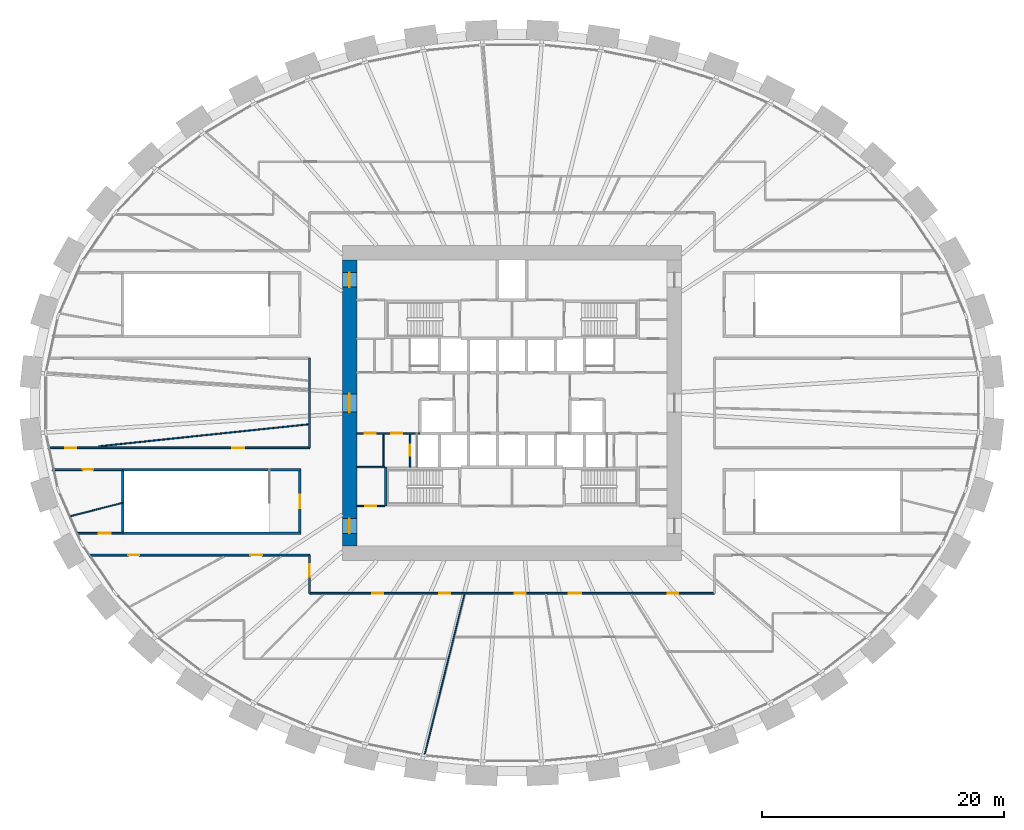
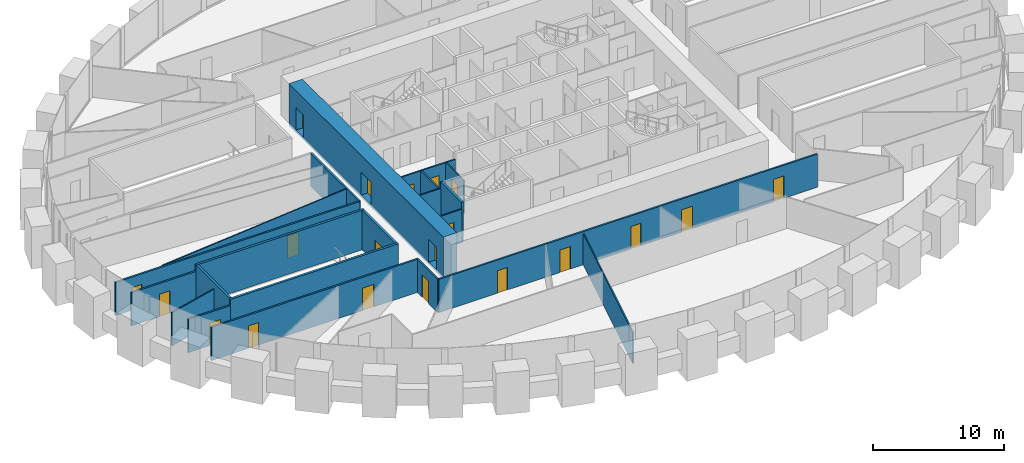
# One storey, part 6 of 12: 21 walls, 20 doors, 20 openings.
"""IFC4 building model written with IfcOpenShell, lengths in metres."""

from ifc_helpers import new_model, si_unit, direction, frame, frame_2d, origin, place, context, subcontext, project, spatial, rectangle, extrude, source, transform, mapped, material, layer, layer_set, type_object, element, fill, save


model = new_model("IFC4")

# Units and contexts
model_context = context("Model", 3, precision=1e-05, world=origin(), true_north=direction((0.0, 1.0)))
body_context = subcontext(model_context, "Body", "Model", "MODEL_VIEW")
ifc_project = project(units=[si_unit("LENGTHUNIT", "METRE"), si_unit("AREAUNIT", "SQUARE_METRE"), si_unit("VOLUMEUNIT", "CUBIC_METRE"), si_unit("PLANEANGLEUNIT", "RADIAN"), si_unit("MASSUNIT", "GRAM", prefix="KILO")], contexts=[model_context])

# Site, building, storey
site_placement = place(None, origin())
site = spatial("IfcSite", under=ifc_project, at=site_placement, CompositionType="ELEMENT")
building_placement = place(site_placement, origin())
building = spatial("IfcBuilding", under=site, at=building_placement, Name="Embergate Tower", CompositionType="ELEMENT")
storey_placement = place(building_placement, frame((0.0, 0.0, 38.0)))
storey = spatial("IfcBuildingStorey", under=building, at=storey_placement, Name="L05", CompositionType="ELEMENT", Elevation=38.0)

# Wall, openings, doors
ifc_material_1 = material(Name="Concrete C80", Category="concrete")
ifc_layer_1 = layer(ifc_material_1, 1.199951171875)
ifc_layer_set_1 = layer_set([ifc_layer_1], Name="Concrete C80")
wall_type_1 = type_object("IfcWallType", Name="Core outer wall C80 1200", PredefinedType="SHEAR", material=ifc_layer_set_1)
shared_shape_1 = source(origin(), body_context, "Body", "SweptSolid", [
    extrude(rectangle(XDim=23.60009765625, YDim=1.199951171875, at=frame_2d((11.800048828125, 0.0))), origin(), (0.0, 0.0, 1.0), 3.89990234375),
])
wall_1_placement = place(storey_placement, frame((-13.39990234375, -11.800048828125, -0.199951171875), z_axis=(0.0, 0.0, 1.0), x_axis=(0.0, 1.0, 0.0)))
wall_1 = element("IfcWall", 1, at=wall_1_placement, inside=storey, type_object=wall_type_1, Name="CW-L05-W", PredefinedType="SHEAR", context=body_context, shape_type="MappedRepresentation", body=[
    mapped(shared_shape_1, transform((0.0, 0.0, 0.0))),
])
shared_shape_2 = source(origin(), body_context, "Body", "SweptSolid", [
    extrude(rectangle(XDim=1.199951171875, YDim=2.10009765625, at=frame_2d((0.60009765625, 1.050048828125))), frame((0.0, 0.60986328125, 0.0), z_axis=(0.0, -1.0, 0.0), x_axis=(1.0, 0.0, 0.0)), (0.0, 0.0, 1.0), 1.219970703125),
])
opening_1_placement = place(wall_1_placement, frame((21.35009765625, 0.0, 0.199951171875)))
opening_1 = element("IfcOpeningElement", 2, at=opening_1_placement, cuts=wall_1, Name="Opening IF-1", PredefinedType="OPENING", context=body_context, shape_type="MappedRepresentation", body=[
    mapped(shared_shape_2, transform((0.0, 0.0, 0.0))),
])
opening_2_placement = place(wall_1_placement, frame((1.050048828125, 0.0, 0.199951171875)))
opening_2 = element("IfcOpeningElement", 3, at=opening_2_placement, cuts=wall_1, Name="Opening IF-1", PredefinedType="OPENING", context=body_context, shape_type="MappedRepresentation", body=[
    mapped(shared_shape_2, transform((0.0, 0.0, 0.0))),
])
shared_shape_3 = source(origin(), body_context, "Body", "SweptSolid", [
    extrude(rectangle(XDim=1.5, YDim=2.10009765625, at=frame_2d((0.75, 1.050048828125))), frame((0.0, 0.60986328125, 0.0), z_axis=(0.0, -1.0, 0.0), x_axis=(1.0, 0.0, 0.0)), (0.0, 0.0, 1.0), 1.219970703125),
])
opening_3_placement = place(wall_1_placement, frame((11.050048828125, 0.0, 0.199951171875)))
opening_3 = element("IfcOpeningElement", 4, at=opening_3_placement, cuts=wall_1, Name="Opening IF-3", PredefinedType="OPENING", context=body_context, shape_type="MappedRepresentation", body=[
    mapped(shared_shape_3, transform((0.0, 0.0, 0.0))),
])
ifc_material_2 = material(Name="Escape fire door 1200")
door_type_1 = type_object("IfcDoorType", Name="Escape fire door 1200", OperationType="SINGLE_SWING_LEFT", PredefinedType="DOOR", material=ifc_material_2)
shared_shape_4 = source(origin(), body_context, "Body", "SweptSolid", [
    extrude(rectangle(XDim=1.199951171875, YDim=2.10009765625, at=frame_2d((0.60009765625, 1.050048828125))), frame((0.0, 0.02490234375, 0.0), z_axis=(0.0, -1.0, 0.0), x_axis=(1.0, 0.0, 0.0)), (0.0, 0.0, 1.0), 0.050048828125),
])
door_1_placement = place(opening_1_placement, origin())
door_1 = element("IfcDoor", 5, at=door_1_placement, inside=storey, type_object=door_type_1, Name="IF-1 door", OperationType="SINGLE_SWING_RIGHT", OverallHeight=2.10009765625, OverallWidth=1.199951171875, PredefinedType="DOOR", context=body_context, shape_type="MappedRepresentation", body=[
    mapped(shared_shape_4, transform((0.0, 0.0, 0.0))),
])
fill(opening_1, door_1)
door_2_placement = place(opening_2_placement, origin())
door_2 = element("IfcDoor", 6, at=door_2_placement, inside=storey, type_object=door_type_1, Name="IF-1 door", OperationType="SINGLE_SWING_LEFT", OverallHeight=2.10009765625, OverallWidth=1.199951171875, PredefinedType="DOOR", context=body_context, shape_type="MappedRepresentation", body=[
    mapped(shared_shape_4, transform((0.0, 0.0, 0.0))),
])
fill(opening_2, door_2)
ifc_material_3 = material(Name="Lobby fire door pair 1500")
door_type_2 = type_object("IfcDoorType", Name="Lobby fire door pair 1500", OperationType="DOUBLE_DOOR_SINGLE_SWING", PredefinedType="DOOR", material=ifc_material_3)
shared_shape_5 = source(origin(), body_context, "Body", "SweptSolid", [
    extrude(rectangle(XDim=1.5, YDim=2.10009765625, at=frame_2d((0.75, 1.050048828125))), frame((0.0, 0.02490234375, 0.0), z_axis=(0.0, -1.0, 0.0), x_axis=(1.0, 0.0, 0.0)), (0.0, 0.0, 1.0), 0.050048828125),
])
door_3_placement = place(opening_3_placement, origin())
door_3 = element("IfcDoor", 7, at=door_3_placement, inside=storey, type_object=door_type_2, Name="IF-3 door", OperationType="DOUBLE_DOOR_SINGLE_SWING", OverallHeight=2.10009765625, OverallWidth=1.5, PredefinedType="DOOR", context=body_context, shape_type="MappedRepresentation", body=[
    mapped(shared_shape_5, transform((0.0, 0.0, 0.0))),
])
fill(opening_3, door_3)

ifc_material_4 = material(Name="Corridor wall dry-lined 150")
ifc_layer_2 = layer(ifc_material_4, 0.14990234375)
ifc_layer_set_2 = layer_set([ifc_layer_2], Name="Corridor wall dry-lined 150")
wall_type_2 = type_object("IfcWallType", Name="Corridor wall dry-lined 150", PredefinedType="PARTITIONING", material=ifc_layer_set_2)
shared_shape_6 = source(origin(), body_context, "Body", "SweptSolid", [
    extrude(rectangle(XDim=33.39990234375, YDim=0.14990234375, at=frame_2d((16.699951171875, 0.0))), origin(), (0.0, 0.0, 1.0), 3.10009765625),
])
wall_2_placement = place(storey_placement, frame((16.699951171875, -15.699951171875, 0.0), z_axis=(0.0, 0.0, 1.0), x_axis=(-1.0, 0.0, 0.0)))
wall_2 = element("IfcWall", 8, at=wall_2_placement, inside=storey, type_object=wall_type_2, Name="IP-2 wall", PredefinedType="PARTITIONING", context=body_context, shape_type="MappedRepresentation", body=[
    mapped(shared_shape_6, transform((0.0, 0.0, 0.0))),
])
shared_shape_7 = source(origin(), body_context, "Body", "SweptSolid", [
    extrude(rectangle(XDim=0.89990234375, YDim=2.10009765625, at=frame_2d((0.449951171875, 1.050048828125))), frame((0.0, 0.0849609375, 0.0), z_axis=(0.0, -1.0, 0.0), x_axis=(1.0, 0.0, 0.0)), (0.0, 0.0, 1.0), 0.169921875),
])
opening_4_placement = place(wall_2_placement, frame((27.3359375, 0.0, 0.0)))
opening_4 = element("IfcOpeningElement", 9, at=opening_4_placement, cuts=wall_2, Name="Opening IF-1c", PredefinedType="OPENING", context=body_context, shape_type="MappedRepresentation", body=[
    mapped(shared_shape_7, transform((0.0, 0.0, 0.0))),
])
opening_5_placement = place(wall_2_placement, frame((21.802978515625, 0.0, 0.0)))
opening_5 = element("IfcOpeningElement", 10, at=opening_5_placement, cuts=wall_2, Name="Opening IF-1c", PredefinedType="OPENING", context=body_context, shape_type="MappedRepresentation", body=[
    mapped(shared_shape_7, transform((0.0, 0.0, 0.0))),
])
opening_6_placement = place(wall_2_placement, frame((15.56396484375, 0.0, 0.0)))
opening_6 = element("IfcOpeningElement", 11, at=opening_6_placement, cuts=wall_2, Name="Opening IF-1c", PredefinedType="OPENING", context=body_context, shape_type="MappedRepresentation", body=[
    mapped(shared_shape_7, transform((0.0, 0.0, 0.0))),
])
shared_shape_8 = source(origin(), body_context, "Body", "SweptSolid", [
    extrude(rectangle(XDim=1.0, YDim=2.10009765625, at=frame_2d((0.5, 1.050048828125))), frame((0.0, 0.0849609375, 0.0), z_axis=(0.0, -1.0, 0.0), x_axis=(1.0, 0.0, 0.0)), (0.0, 0.0, 1.0), 0.169921875),
])
opening_7_placement = place(wall_2_placement, frame((11.006103515625, 0.0, 0.0)))
opening_7 = element("IfcOpeningElement", 12, at=opening_7_placement, cuts=wall_2, Name="Opening ID-2", PredefinedType="OPENING", context=body_context, shape_type="MappedRepresentation", body=[
    mapped(shared_shape_8, transform((0.0, 0.0, 0.0))),
])
opening_8_placement = place(wall_2_placement, frame((2.969970703125, 0.0, 0.0)))
opening_8 = element("IfcOpeningElement", 13, at=opening_8_placement, cuts=wall_2, Name="Opening IF-1c", PredefinedType="OPENING", context=body_context, shape_type="MappedRepresentation", body=[
    mapped(shared_shape_7, transform((0.0, 0.0, 0.0))),
])
ifc_material_5 = material(Name="Escape fire door 900")
door_type_3 = type_object("IfcDoorType", Name="Escape fire door 900", OperationType="SINGLE_SWING_LEFT", PredefinedType="DOOR", material=ifc_material_5)
shared_shape_9 = source(origin(), body_context, "Body", "SweptSolid", [
    extrude(rectangle(XDim=0.89990234375, YDim=2.10009765625, at=frame_2d((0.449951171875, 1.050048828125))), frame((0.0, 0.02490234375, 0.0), z_axis=(0.0, -1.0, 0.0), x_axis=(1.0, 0.0, 0.0)), (0.0, 0.0, 1.0), 0.050048828125),
])
door_4_placement = place(opening_4_placement, origin())
door_4 = element("IfcDoor", 14, at=door_4_placement, inside=storey, type_object=door_type_3, Name="IF-1 door", OperationType="SINGLE_SWING_RIGHT", OverallHeight=2.10009765625, OverallWidth=0.89990234375, PredefinedType="DOOR", context=body_context, shape_type="MappedRepresentation", body=[
    mapped(shared_shape_9, transform((0.0, 0.0, 0.0))),
])
fill(opening_4, door_4)
door_5_placement = place(opening_5_placement, origin())
door_5 = element("IfcDoor", 15, at=door_5_placement, inside=storey, type_object=door_type_3, Name="IF-1 door", OperationType="SINGLE_SWING_RIGHT", OverallHeight=2.10009765625, OverallWidth=0.89990234375, PredefinedType="DOOR", context=body_context, shape_type="MappedRepresentation", body=[
    mapped(shared_shape_9, transform((0.0, 0.0, 0.0))),
])
fill(opening_5, door_5)
door_6_placement = place(opening_6_placement, origin())
door_6 = element("IfcDoor", 16, at=door_6_placement, inside=storey, type_object=door_type_3, Name="IF-1 door", OperationType="SINGLE_SWING_RIGHT", OverallHeight=2.10009765625, OverallWidth=0.89990234375, PredefinedType="DOOR", context=body_context, shape_type="MappedRepresentation", body=[
    mapped(shared_shape_9, transform((0.0, 0.0, 0.0))),
])
fill(opening_6, door_6)
door_7_placement = place(opening_8_placement, origin())
door_7 = element("IfcDoor", 17, at=door_7_placement, inside=storey, type_object=door_type_3, Name="IF-1 door", OperationType="SINGLE_SWING_LEFT", OverallHeight=2.10009765625, OverallWidth=0.89990234375, PredefinedType="DOOR", context=body_context, shape_type="MappedRepresentation", body=[
    mapped(shared_shape_9, transform((0.0, 0.0, 0.0))),
])
fill(opening_8, door_7)
ifc_material_6 = material(Name="Interior door 1000")
door_type_4 = type_object("IfcDoorType", Name="Interior door 1000", OperationType="SINGLE_SWING_LEFT", PredefinedType="DOOR", material=ifc_material_6)
shared_shape_10 = source(origin(), body_context, "Body", "SweptSolid", [
    extrude(rectangle(XDim=1.0, YDim=2.10009765625, at=frame_2d((0.5, 1.050048828125))), frame((0.0, 0.02490234375, 0.0), z_axis=(0.0, -1.0, 0.0), x_axis=(1.0, 0.0, 0.0)), (0.0, 0.0, 1.0), 0.050048828125),
])
door_8_placement = place(opening_7_placement, origin())
door_8 = element("IfcDoor", 18, at=door_8_placement, inside=storey, type_object=door_type_4, Name="ID-2 door", OperationType="SINGLE_SWING_LEFT", OverallHeight=2.10009765625, OverallWidth=1.0, PredefinedType="DOOR", context=body_context, shape_type="MappedRepresentation", body=[
    mapped(shared_shape_10, transform((0.0, 0.0, 0.0))),
])
fill(opening_7, door_8)

# Wall, opening, door
shared_shape_11 = source(origin(), body_context, "Body", "SweptSolid", [
    extrude(rectangle(XDim=3.14990234375, YDim=0.14990234375, at=frame_2d((1.574951171875, 0.0))), origin(), (0.0, 0.0, 1.0), 3.10009765625),
])
wall_3_placement = place(storey_placement, frame((-16.699951171875, -15.699951171875, 0.0), z_axis=(0.0, 0.0, 1.0), x_axis=(0.0, 1.0, 0.0)))
wall_3 = element("IfcWall", 19, at=wall_3_placement, inside=storey, type_object=wall_type_2, Name="IP-2 wall", PredefinedType="PARTITIONING", context=body_context, shape_type="MappedRepresentation", body=[
    mapped(shared_shape_11, transform((0.0, 0.0, 0.0))),
])
opening_9_placement = place(wall_3_placement, frame((1.385009765625, 0.0, 0.0)))
opening_9 = element("IfcOpeningElement", 20, at=opening_9_placement, cuts=wall_3, Name="Opening ID-2", PredefinedType="OPENING", context=body_context, shape_type="MappedRepresentation", body=[
    mapped(shared_shape_8, transform((0.0, 0.0, 0.0))),
])
door_9_placement = place(opening_9_placement, origin())
door_9 = element("IfcDoor", 21, at=door_9_placement, inside=storey, type_object=door_type_4, Name="ID-2 door", OperationType="SINGLE_SWING_LEFT", OverallHeight=2.10009765625, OverallWidth=1.0, PredefinedType="DOOR", context=body_context, shape_type="MappedRepresentation", body=[
    mapped(shared_shape_10, transform((0.0, 0.0, 0.0))),
])
fill(opening_9, door_9)

# Wall, openings, doors
shared_shape_12 = source(origin(), body_context, "Body", "SweptSolid", [
    extrude(rectangle(XDim=18.233154296875, YDim=0.14990234375, at=frame_2d((9.11669921875, 0.0))), origin(), (0.0, 0.0, 1.0), 3.10009765625),
])
wall_4_placement = place(storey_placement, frame((-16.699951171875, -12.550048828125, 0.0), z_axis=(0.0, 0.0, 1.0), x_axis=(-1.0, 0.0, 0.0)))
wall_4 = element("IfcWall", 22, at=wall_4_placement, inside=storey, type_object=wall_type_2, Name="IP-2 wall", PredefinedType="PARTITIONING", context=body_context, shape_type="MappedRepresentation", body=[
    mapped(shared_shape_12, transform((0.0, 0.0, 0.0))),
])
opening_10_placement = place(wall_4_placement, frame((14.069091796875, 0.0, 0.0)))
opening_10 = element("IfcOpeningElement", 23, at=opening_10_placement, cuts=wall_4, Name="Opening IF-1c", PredefinedType="OPENING", context=body_context, shape_type="MappedRepresentation", body=[
    mapped(shared_shape_7, transform((0.0, 0.0, 0.0))),
])
opening_11_placement = place(wall_4_placement, frame((3.888916015625, 0.0, 0.0)))
opening_11 = element("IfcOpeningElement", 24, at=opening_11_placement, cuts=wall_4, Name="Opening ID-2", PredefinedType="OPENING", context=body_context, shape_type="MappedRepresentation", body=[
    mapped(shared_shape_8, transform((0.0, 0.0, 0.0))),
])
door_10_placement = place(opening_10_placement, origin())
door_10 = element("IfcDoor", 25, at=door_10_placement, inside=storey, type_object=door_type_3, Name="IF-1 door", OperationType="SINGLE_SWING_RIGHT", OverallHeight=2.10009765625, OverallWidth=0.89990234375, PredefinedType="DOOR", context=body_context, shape_type="MappedRepresentation", body=[
    mapped(shared_shape_9, transform((0.0, 0.0, 0.0))),
])
fill(opening_10, door_10)
door_11_placement = place(opening_11_placement, origin())
door_11 = element("IfcDoor", 26, at=door_11_placement, inside=storey, type_object=door_type_4, Name="ID-2 door", OperationType="SINGLE_SWING_RIGHT", OverallHeight=2.10009765625, OverallWidth=1.0, PredefinedType="DOOR", context=body_context, shape_type="MappedRepresentation", body=[
    mapped(shared_shape_10, transform((0.0, 0.0, 0.0))),
])
fill(opening_11, door_11)

# Wall
shared_shape_13 = source(origin(), body_context, "Body", "SweptSolid", [
    extrude(rectangle(XDim=7.39990234375, YDim=0.14990234375, at=frame_2d((3.699951171875, 0.0))), origin(), (0.0, 0.0, 1.0), 3.10009765625),
])
wall_5_placement = place(storey_placement, frame((-16.699951171875, -3.699951171875, 0.0), z_axis=(0.0, 0.0, 1.0), x_axis=(0.0, 1.0, 0.0)))
element("IfcWall", 27, at=wall_5_placement, inside=storey, type_object=wall_type_2, Name="IP-2 wall", PredefinedType="PARTITIONING", context=body_context, shape_type="MappedRepresentation", body=[
    mapped(shared_shape_13, transform((0.0, 0.0, 0.0))),
])

# Wall, openings, doors
shared_shape_14 = source(origin(), body_context, "Body", "SweptSolid", [
    extrude(rectangle(XDim=21.578125, YDim=0.14990234375, at=frame_2d((10.7890625, 0.0))), origin(), (0.0, 0.0, 1.0), 3.10009765625),
])
wall_6_placement = place(storey_placement, frame((-16.699951171875, -3.699951171875, 0.0), z_axis=(0.0, 0.0, 1.0), x_axis=(-1.0, 0.0, 0.0)))
wall_6 = element("IfcWall", 28, at=wall_6_placement, inside=storey, type_object=wall_type_2, Name="IP-2 wall", PredefinedType="PARTITIONING", context=body_context, shape_type="MappedRepresentation", body=[
    mapped(shared_shape_14, transform((0.0, 0.0, 0.0))),
])
opening_12_placement = place(wall_6_placement, frame((19.2451171875, 0.0, 0.0)))
opening_12 = element("IfcOpeningElement", 29, at=opening_12_placement, cuts=wall_6, Name="Opening IF-1c", PredefinedType="OPENING", context=body_context, shape_type="MappedRepresentation", body=[
    mapped(shared_shape_7, transform((0.0, 0.0, 0.0))),
])
opening_13_placement = place(wall_6_placement, frame((5.39501953125, 0.0, 0.0)))
opening_13 = element("IfcOpeningElement", 30, at=opening_13_placement, cuts=wall_6, Name="Opening ID-2", PredefinedType="OPENING", context=body_context, shape_type="MappedRepresentation", body=[
    mapped(shared_shape_8, transform((0.0, 0.0, 0.0))),
])
door_12_placement = place(opening_12_placement, origin())
door_12 = element("IfcDoor", 31, at=door_12_placement, inside=storey, type_object=door_type_3, Name="IF-1 door", OperationType="SINGLE_SWING_LEFT", OverallHeight=2.10009765625, OverallWidth=0.89990234375, PredefinedType="DOOR", context=body_context, shape_type="MappedRepresentation", body=[
    mapped(shared_shape_9, transform((0.0, 0.0, 0.0))),
])
fill(opening_12, door_12)
door_13_placement = place(opening_13_placement, origin())
door_13 = element("IfcDoor", 32, at=door_13_placement, inside=storey, type_object=door_type_4, Name="ID-2 door", OperationType="SINGLE_SWING_LEFT", OverallHeight=2.10009765625, OverallWidth=1.0, PredefinedType="DOOR", context=body_context, shape_type="MappedRepresentation", body=[
    mapped(shared_shape_10, transform((0.0, 0.0, 0.0))),
])
fill(opening_13, door_13)

# Wall, opening, door
shared_shape_15 = source(origin(), body_context, "Body", "SweptSolid", [
    extrude(rectangle(XDim=5.79296875, YDim=0.14990234375, at=frame_2d((2.896484375, 0.0))), origin(), (0.0, 0.0, 1.0), 3.10009765625),
])
wall_7_placement = place(storey_placement, frame((-32.1201171875, -5.5, 0.0), z_axis=(0.0, 0.0, 1.0), x_axis=(-1.0, 0.0, 0.0)))
wall_7 = element("IfcWall", 33, at=wall_7_placement, inside=storey, type_object=wall_type_2, Name="IP-2 wall", PredefinedType="PARTITIONING", context=body_context, shape_type="MappedRepresentation", body=[
    mapped(shared_shape_15, transform((0.0, 0.0, 0.0))),
])
opening_14_placement = place(wall_7_placement, frame((2.404052734375, 0.0, 0.0)))
opening_14 = element("IfcOpeningElement", 34, at=opening_14_placement, cuts=wall_7, Name="Opening IF-1c", PredefinedType="OPENING", context=body_context, shape_type="MappedRepresentation", body=[
    mapped(shared_shape_7, transform((0.0, 0.0, 0.0))),
])
door_14_placement = place(opening_14_placement, origin())
door_14 = element("IfcDoor", 35, at=door_14_placement, inside=storey, type_object=door_type_3, Name="IF-1 door", OperationType="SINGLE_SWING_RIGHT", OverallHeight=2.10009765625, OverallWidth=0.89990234375, PredefinedType="DOOR", context=body_context, shape_type="MappedRepresentation", body=[
    mapped(shared_shape_9, transform((0.0, 0.0, 0.0))),
])
fill(opening_14, door_14)

shared_shape_16 = source(origin(), body_context, "Body", "SweptSolid", [
    extrude(rectangle(XDim=3.81787109375, YDim=0.14990234375, at=frame_2d((1.908935546875, 0.0))), origin(), (0.0, 0.0, 1.0), 3.10009765625),
])
wall_8_placement = place(storey_placement, frame((-35.93798828125, -10.75, 0.0), z_axis=(0.0, 0.0, 1.0), x_axis=(1.0, 0.0, 0.0)))
wall_8 = element("IfcWall", 36, at=wall_8_placement, inside=storey, type_object=wall_type_2, Name="IP-2 wall", PredefinedType="PARTITIONING", context=body_context, shape_type="MappedRepresentation", body=[
    mapped(shared_shape_16, transform((0.0, 0.0, 0.0))),
])
opening_15_placement = place(wall_8_placement, frame((1.852783203125, 0.0, 0.0)))
opening_15 = element("IfcOpeningElement", 37, at=opening_15_placement, cuts=wall_8, Name="Opening ID-2", PredefinedType="OPENING", context=body_context, shape_type="MappedRepresentation", body=[
    mapped(shared_shape_8, transform((0.0, 0.0, 0.0))),
])
door_15_placement = place(opening_15_placement, origin())
door_15 = element("IfcDoor", 38, at=door_15_placement, inside=storey, type_object=door_type_4, Name="ID-2 door", OperationType="SINGLE_SWING_RIGHT", OverallHeight=2.10009765625, OverallWidth=1.0, PredefinedType="DOOR", context=body_context, shape_type="MappedRepresentation", body=[
    mapped(shared_shape_10, transform((0.0, 0.0, 0.0))),
])
fill(opening_15, door_15)

# Walls
ifc_material_7 = material(Name="Partition dry-lined 100")
ifc_layer_3 = layer(ifc_material_7, 0.10009765625)
ifc_layer_set_3 = layer_set([ifc_layer_3], Name="Partition dry-lined 100")
wall_type_3 = type_object("IfcWallType", Name="Partition dry-lined 100", PredefinedType="PARTITIONING", material=ifc_layer_set_3)
shared_shape_17 = source(origin(), body_context, "Body", "SweptSolid", [
    extrude(rectangle(XDim=13.68310546875, YDim=0.10009765625, at=frame_2d((6.841552734375, 0.0))), origin(), (0.0, 0.0, 1.0), 2.89990234375),
])
wall_9_placement = place(storey_placement, frame((-3.9208984375, -15.787109375, 0.0), z_axis=(0.0, 0.0, 1.0), x_axis=(-0.241032377939, -0.970517074958, 0.0)))
element("IfcWall", 39, at=wall_9_placement, inside=storey, type_object=wall_type_3, Name="IP-1 wall", PredefinedType="PARTITIONING", context=body_context, shape_type="MappedRepresentation", body=[
    mapped(shared_shape_17, transform((0.0, 0.0, 0.0))),
])
shared_shape_18 = source(origin(), body_context, "Body", "SweptSolid", [
    extrude(rectangle(XDim=4.6083984375, YDim=0.10009765625, at=frame_2d((2.30419921875, 0.0))), origin(), (0.0, 0.0, 1.0), 3.10009765625),
])
wall_10_placement = place(storey_placement, frame((-32.1201171875, -8.236083984375, 0.0), z_axis=(0.0, 0.0, 1.0), x_axis=(-0.968640984536, -0.248464571072, 0.0)))
element("IfcWall", 40, at=wall_10_placement, inside=storey, type_object=wall_type_3, Name="IP-1 wall", PredefinedType="PARTITIONING", context=body_context, shape_type="MappedRepresentation", body=[
    mapped(shared_shape_18, transform((0.0, 0.0, 0.0))),
])
shared_shape_19 = source(origin(), body_context, "Body", "SweptSolid", [
    extrude(rectangle(XDim=17.409912109375, YDim=0.10009765625, at=frame_2d((8.705078125, 0.0))), origin(), (0.0, 0.0, 1.0), 3.10009765625),
])
wall_11_placement = place(storey_placement, frame((-16.780029296875, -1.760009765625, 0.0), z_axis=(0.0, 0.0, 1.0), x_axis=(-0.994551307014, -0.104248250421, 0.0)))
element("IfcWall", 41, at=wall_11_placement, inside=storey, type_object=wall_type_3, Name="IP-1 wall", PredefinedType="PARTITIONING", context=body_context, shape_type="MappedRepresentation", body=[
    mapped(shared_shape_19, transform((0.0, 0.0, 0.0))),
])

# Wall, opening, door
ifc_material_8 = material(Name="Core partition blockwork 120")
ifc_layer_4 = layer(ifc_material_8, 0.1201171875)
ifc_layer_set_4 = layer_set([ifc_layer_4], Name="Core partition blockwork 120")
wall_type_4 = type_object("IfcWallType", Name="Core partition blockwork 120", PredefinedType="PARTITIONING", material=ifc_layer_set_4)
shared_shape_20 = source(origin(), body_context, "Body", "SweptSolid", [
    extrude(rectangle(XDim=2.739990234375, YDim=0.1201171875, at=frame_2d((1.3701171875, 0.0))), origin(), (0.0, 0.0, 1.0), 3.10009765625),
])
wall_12_placement = place(storey_placement, frame((-8.39990234375, -2.56005859375, 0.0), z_axis=(0.0, 0.0, 1.0), x_axis=(0.0, -1.0, 0.0)))
wall_12 = element("IfcWall", 42, at=wall_12_placement, inside=storey, type_object=wall_type_4, Name="IP-3 wall", PredefinedType="PARTITIONING", context=body_context, shape_type="MappedRepresentation", body=[
    mapped(shared_shape_20, transform((0.0, 0.0, 0.0))),
])
shared_shape_21 = source(origin(), body_context, "Body", "SweptSolid", [
    extrude(rectangle(XDim=0.89990234375, YDim=2.10009765625, at=frame_2d((0.449951171875, 1.050048828125))), frame((0.0, 0.070068359375, 0.0), z_axis=(0.0, -1.0, 0.0), x_axis=(1.0, 0.0, 0.0)), (0.0, 0.0, 1.0), 0.14013671875),
])
opening_16_placement = place(wall_12_placement, frame((0.889892578125, 0.0, 0.0)))
opening_16 = element("IfcOpeningElement", 43, at=opening_16_placement, cuts=wall_12, Name="Opening ID-1", PredefinedType="OPENING", context=body_context, shape_type="MappedRepresentation", body=[
    mapped(shared_shape_21, transform((0.0, 0.0, 0.0))),
])
ifc_material_9 = material(Name="Interior door 900")
door_type_5 = type_object("IfcDoorType", Name="Interior door 900", OperationType="SINGLE_SWING_LEFT", PredefinedType="DOOR", material=ifc_material_9)
door_16_placement = place(opening_16_placement, origin())
door_16 = element("IfcDoor", 44, at=door_16_placement, inside=storey, type_object=door_type_5, Name="ID-1 door", OperationType="SINGLE_SWING_LEFT", OverallHeight=2.10009765625, OverallWidth=0.89990234375, PredefinedType="DOOR", context=body_context, shape_type="MappedRepresentation", body=[
    mapped(shared_shape_9, transform((0.0, 0.0, 0.0))),
])
fill(opening_16, door_16)

# Wall, openings, doors
shared_shape_22 = source(origin(), body_context, "Body", "SweptSolid", [
    extrude(rectangle(XDim=5.199951171875, YDim=0.1201171875, at=frame_2d((2.60009765625, 0.0))), origin(), (0.0, 0.0, 1.0), 3.10009765625),
])
wall_13_placement = place(storey_placement, frame((-7.60009765625, -2.5, 0.0), z_axis=(0.0, 0.0, 1.0), x_axis=(-1.0, 0.0, 0.0)))
wall_13 = element("IfcWall", 45, at=wall_13_placement, inside=storey, type_object=wall_type_4, Name="IP-3 wall", PredefinedType="PARTITIONING", context=body_context, shape_type="MappedRepresentation", body=[
    mapped(shared_shape_22, transform((0.0, 0.0, 0.0))),
])
opening_17_placement = place(wall_13_placement, frame((3.64990234375, 0.0, 0.0)))
opening_17 = element("IfcOpeningElement", 46, at=opening_17_placement, cuts=wall_13, Name="Opening ID-1", PredefinedType="OPENING", context=body_context, shape_type="MappedRepresentation", body=[
    mapped(shared_shape_21, transform((0.0, 0.0, 0.0))),
])
opening_18_placement = place(wall_13_placement, frame((1.449951171875, 0.0, 0.0)))
opening_18 = element("IfcOpeningElement", 47, at=opening_18_placement, cuts=wall_13, Name="Opening ID-1", PredefinedType="OPENING", context=body_context, shape_type="MappedRepresentation", body=[
    mapped(shared_shape_21, transform((0.0, 0.0, 0.0))),
])
door_17_placement = place(opening_17_placement, origin())
door_17 = element("IfcDoor", 48, at=door_17_placement, inside=storey, type_object=door_type_5, Name="ID-1 door", OperationType="SINGLE_SWING_LEFT", OverallHeight=2.10009765625, OverallWidth=0.89990234375, PredefinedType="DOOR", context=body_context, shape_type="MappedRepresentation", body=[
    mapped(shared_shape_9, transform((0.0, 0.0, 0.0))),
])
fill(opening_17, door_17)
door_18_placement = place(opening_18_placement, origin())
door_18 = element("IfcDoor", 49, at=door_18_placement, inside=storey, type_object=door_type_5, Name="ID-1 door", OperationType="SINGLE_SWING_LEFT", OverallHeight=2.10009765625, OverallWidth=0.89990234375, PredefinedType="DOOR", context=body_context, shape_type="MappedRepresentation", body=[
    mapped(shared_shape_9, transform((0.0, 0.0, 0.0))),
])
fill(opening_18, door_18)

# Wall
ifc_material_10 = material(Name="Concrete C50", Category="concrete")
ifc_layer_5 = layer(ifc_material_10, 0.199951171875)
ifc_layer_set_5 = layer_set([ifc_layer_5], Name="Concrete C50")
wall_type_5 = type_object("IfcWallType", Name="Stair enclosure wall reinforced concrete 250", PredefinedType="SHEAR", material=ifc_layer_set_5)
shared_shape_23 = source(origin(), body_context, "Body", "SweptSolid", [
    extrude(rectangle(XDim=3.199951171875, YDim=0.199951171875, at=frame_2d((1.60009765625, 0.0))), origin(), (0.0, 0.0, 1.0), 3.699951171875),
])
wall_14_placement = place(storey_placement, frame((-10.39990234375, -5.300048828125, 0.0), z_axis=(0.0, 0.0, 1.0), x_axis=(0.0, -1.0, 0.0)))
element("IfcWall", 50, at=wall_14_placement, inside=storey, type_object=wall_type_5, Name="SE-1 wall", PredefinedType="SHEAR", context=body_context, shape_type="MappedRepresentation", body=[
    mapped(shared_shape_23, transform((0.0, 0.0, 0.0))),
])

# Wall, opening, door
shared_shape_24 = source(origin(), body_context, "Body", "SweptSolid", [
    extrude(rectangle(XDim=2.300048828125, YDim=0.1201171875, at=frame_2d((1.14990234375, 0.0))), origin(), (0.0, 0.0, 1.0), 3.10009765625),
])
wall_15_placement = place(storey_placement, frame((-10.5, -8.5, 0.0), z_axis=(0.0, 0.0, 1.0), x_axis=(-1.0, 0.0, 0.0)))
wall_15 = element("IfcWall", 51, at=wall_15_placement, inside=storey, type_object=wall_type_4, Name="IP-3 wall", PredefinedType="PARTITIONING", context=body_context, shape_type="MappedRepresentation", body=[
    mapped(shared_shape_24, transform((0.0, 0.0, 0.0))),
])
opening_19_placement = place(wall_15_placement, frame((0.699951171875, 0.0, 0.0)))
opening_19 = element("IfcOpeningElement", 52, at=opening_19_placement, cuts=wall_15, Name="Opening ID-1", PredefinedType="OPENING", context=body_context, shape_type="MappedRepresentation", body=[
    mapped(shared_shape_21, transform((0.0, 0.0, 0.0))),
])
door_19_placement = place(opening_19_placement, origin())
door_19 = element("IfcDoor", 53, at=door_19_placement, inside=storey, type_object=door_type_5, Name="ID-1 door", OperationType="SINGLE_SWING_RIGHT", OverallHeight=2.10009765625, OverallWidth=0.89990234375, PredefinedType="DOOR", context=body_context, shape_type="MappedRepresentation", body=[
    mapped(shared_shape_9, transform((0.0, 0.0, 0.0))),
])
fill(opening_19, door_19)

# Walls
wall_16_placement = place(storey_placement, frame((-12.800048828125, -5.300048828125, 0.0), z_axis=(0.0, 0.0, 1.0), x_axis=(1.0, 0.0, 0.0)))
element("IfcWall", 54, at=wall_16_placement, inside=storey, type_object=wall_type_4, Name="IP-3 wall", PredefinedType="PARTITIONING", context=body_context, shape_type="MappedRepresentation", body=[
    mapped(shared_shape_24, transform((0.0, 0.0, 0.0))),
])
shared_shape_25 = source(origin(), body_context, "Body", "SweptSolid", [
    extrude(rectangle(XDim=2.679931640625, YDim=0.1201171875, at=frame_2d((1.33984375, 0.0))), origin(), (0.0, 0.0, 1.0), 3.10009765625),
])
wall_17_placement = place(storey_placement, frame((-10.60009765625, -5.239990234375, 0.0), z_axis=(0.0, 0.0, 1.0), x_axis=(0.0, 1.0, 0.0)))
element("IfcWall", 55, at=wall_17_placement, inside=storey, type_object=wall_type_4, Name="IP-3 wall", PredefinedType="PARTITIONING", context=body_context, shape_type="MappedRepresentation", body=[
    mapped(shared_shape_25, transform((0.0, 0.0, 0.0))),
])
ifc_material_11 = material(Name="Concrete C40", Category="concrete")
ifc_layer_6 = layer(ifc_material_11, 0.199951171875)
ifc_layer_set_6 = layer_set([ifc_layer_6], Name="Concrete C40")
wall_type_6 = type_object("IfcWallType", Name="Stair enclosure wall RC 200", PredefinedType="STANDARD", material=ifc_layer_set_6)
shared_shape_26 = source(origin(), body_context, "Body", "SweptSolid", [
    extrude(rectangle(XDim=5.0498046875, YDim=0.199951171875, at=frame_2d((2.52490234375, 0.0))), origin(), (0.0, 0.0, 1.0), 3.699951171875),
])
wall_18_placement = place(storey_placement, frame((-32.1201171875, -10.64990234375, 0.0), z_axis=(0.0, 0.0, 1.0), x_axis=(0.0, 1.0, 0.0)))
element("IfcWall", 56, at=wall_18_placement, inside=storey, type_object=wall_type_6, Name="Stair wall 001", PredefinedType="STANDARD", context=body_context, shape_type="MappedRepresentation", body=[
    mapped(shared_shape_26, transform((0.0, 0.0, 0.0))),
])

# Wall, opening, door
wall_19_placement = place(storey_placement, frame((-17.5, -5.60009765625, 0.0), z_axis=(0.0, 0.0, 1.0), x_axis=(0.0, -1.0, 0.0)))
wall_19 = element("IfcWall", 57, at=wall_19_placement, inside=storey, type_object=wall_type_6, Name="Stair wall 006", PredefinedType="STANDARD", context=body_context, shape_type="MappedRepresentation", body=[
    mapped(shared_shape_26, transform((0.0, 0.0, 0.0))),
])
shared_shape_27 = source(origin(), body_context, "Body", "SweptSolid", [
    extrude(rectangle(XDim=1.10009765625, YDim=2.10009765625, at=frame_2d((0.550048828125, 1.050048828125))), frame((0.0, 0.10986328125, 0.0), z_axis=(0.0, -1.0, 0.0), x_axis=(1.0, 0.0, 0.0)), (0.0, 0.0, 1.0), 0.219970703125),
])
opening_20_placement = place(wall_19_placement, frame((1.97509765625, 0.0, 0.0)))
opening_20 = element("IfcOpeningElement", 58, at=opening_20_placement, cuts=wall_19, Name="Opening DS-345", PredefinedType="OPENING", context=body_context, shape_type="MappedRepresentation", body=[
    mapped(shared_shape_27, transform((0.0, 0.0, 0.0))),
])
ifc_material_12 = material(Name="Steel fire door leaf", Category="steel")
door_type_6 = type_object("IfcDoorType", Name="Fire door class B 1100x2100", OperationType="SINGLE_SWING_LEFT", PredefinedType="DOOR", material=ifc_material_12)
shared_shape_28 = source(origin(), body_context, "Body", "SweptSolid", [
    extrude(rectangle(XDim=1.10009765625, YDim=2.10009765625, at=frame_2d((0.550048828125, 1.050048828125))), frame((0.0, 0.02490234375, 0.0), z_axis=(0.0, -1.0, 0.0), x_axis=(1.0, 0.0, 0.0)), (0.0, 0.0, 1.0), 0.050048828125),
])
door_20_placement = place(opening_20_placement, origin())
door_20 = element("IfcDoor", 59, at=door_20_placement, inside=storey, type_object=door_type_6, Name="Door to Exit stair enclosure", OperationType="SINGLE_SWING_LEFT", OverallHeight=2.10009765625, OverallWidth=1.10009765625, PredefinedType="DOOR", context=body_context, shape_type="MappedRepresentation", body=[
    mapped(shared_shape_28, transform((0.0, 0.0, 0.0))),
])
fill(opening_20, door_20)

# Walls
shared_shape_29 = source(origin(), body_context, "Body", "SweptSolid", [
    extrude(rectangle(XDim=14.820068359375, YDim=0.199951171875, at=frame_2d((7.41015625, 0.0))), origin(), (0.0, 0.0, 1.0), 3.699951171875),
])
for number, where, z_axis, x_axis, name in (
    (60, (-32.219970703125, -5.5, 0.0), (0.0, 0.0, 1.0), (1.0, 0.0, 0.0), "Stair wall 002"),
    (61, (-17.39990234375, -10.75, 0.0), (0.0, 0.0, 1.0), (-1.0, 0.0, 0.0), "Stair wall 005"),
):
    element("IfcWall", number, at=place(storey_placement, frame(where, z_axis=z_axis, x_axis=x_axis)), inside=storey, type_object=wall_type_6, Name=name, PredefinedType="STANDARD", context=body_context, shape_type="MappedRepresentation", body=[
        mapped(shared_shape_29, transform((0.0, 0.0, 0.0))),
    ])

save(model, "model.ifc")
